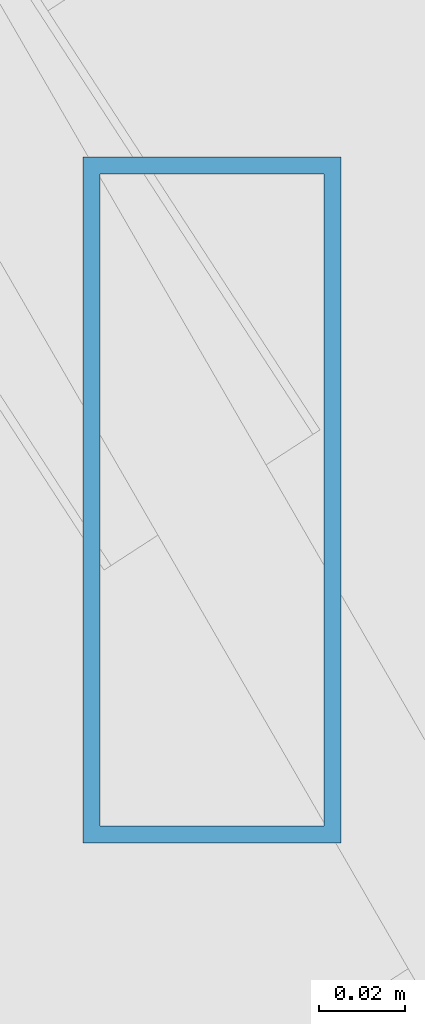
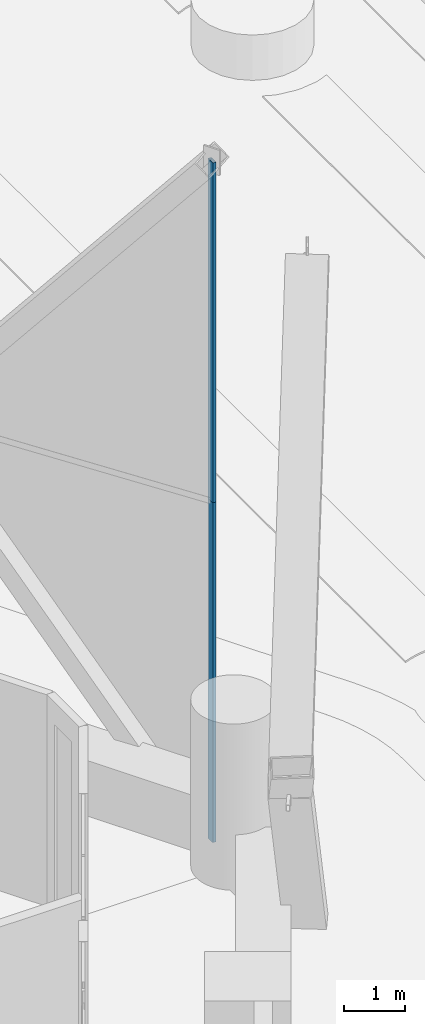
# One storey, part 37 of 71: 2 members, 1 element without a shape of its own.
"""IFC4 building model written with IfcOpenShell, lengths in metres."""

from ifc_helpers import new_model, si_unit, direction, frame, origin, origin_2d, place, context, subcontext, project, spatial, hollow_rectangle, extrude, material, material_profile, profile_set, type_object, element, aggregate, save


model = new_model("IFC4")

# Units and contexts
model_context = context("Model", 3, precision=1e-05, world=origin(), true_north=direction((0.0, 1.0)))
body_context = subcontext(model_context, "Body", "Model", "MODEL_VIEW")
ifc_project = project(units=[si_unit("LENGTHUNIT", "METRE"), si_unit("AREAUNIT", "SQUARE_METRE"), si_unit("VOLUMEUNIT", "CUBIC_METRE"), si_unit("PLANEANGLEUNIT", "RADIAN"), si_unit("MASSUNIT", "GRAM", prefix="KILO")], contexts=[model_context])

# Site, building, storey
site_placement = place(None, origin())
site = spatial("IfcSite", under=ifc_project, at=site_placement, CompositionType="ELEMENT")
building_placement = place(site_placement, origin())
building = spatial("IfcBuilding", under=site, at=building_placement, Name="Ostrander Bayou Hotel Tower", CompositionType="ELEMENT")
storey_placement = place(building_placement, frame((0.0, 0.0, 10.0)))
storey = spatial("IfcBuildingStorey", under=building, at=storey_placement, Name="L02", CompositionType="ELEMENT", Elevation=10.0)

# Curtain wall, members
ifc_material_1 = material(Name="Aluminium and clear glass", Category="aluminium")
curtain_wall_type = type_object("IfcCurtainWallType", Name="CW-LAT lattice glazing", PredefinedType="NOTDEFINED", material=ifc_material_1)
curtain_wall_placement = place(storey_placement, origin())
curtain_wall = element("IfcCurtainWall", 1, at=curtain_wall_placement, inside=storey, type_object=curtain_wall_type, Name="CW-LAT L02 NE 1", PredefinedType="NOTDEFINED")
ifc_material_2 = material(Name="Aluminium", Category="aluminium")
ifc_material_profile = material_profile(ifc_material_2, hollow_rectangle(XDim=0.06005859375, YDim=0.159912109375, WallThickness=0.00390625, at=origin_2d()))
ifc_profile_set = profile_set([ifc_material_profile], Name="Aluminium")
member_type = type_object("IfcMemberType", Name="CW-LA mullion 60 x 160 mm", PredefinedType="MULLION", material=ifc_profile_set)
member_1_placement = place(storey_placement, frame((24.58837890625, 1.551513671875, -0.60009765625), z_axis=(0.0, 0.0, 1.0), x_axis=(1.0, 0.0, 0.0)))
member_1 = element("IfcMember", 2, at=member_1_placement, type_object=member_type, Name="CW-LAT mullion 1", PredefinedType="MULLION", context=body_context, shape_type="SweptSolid", body=[
    extrude(hollow_rectangle(XDim=0.06005859375, YDim=0.159912109375, WallThickness=0.00390625, at=origin_2d()), origin(), (0.0, 0.0, 1.0), 6.75),
])
member_2_placement = place(storey_placement, frame((24.58837890625, 1.551513671875, 6.14990234375), z_axis=(0.0, 0.0, 1.0), x_axis=(1.0, 0.0, 0.0)))
member_2 = element("IfcMember", 3, at=member_2_placement, type_object=member_type, Name="CW-LAT mullion 2", PredefinedType="MULLION", context=body_context, shape_type="SweptSolid", body=[
    extrude(hollow_rectangle(XDim=0.06005859375, YDim=0.159912109375, WallThickness=0.00390625, at=origin_2d()), origin(), (0.0, 0.0, 1.0), 6.75),
])
aggregate(curtain_wall, [member_1, member_2])

save(model, "model.ifc")
